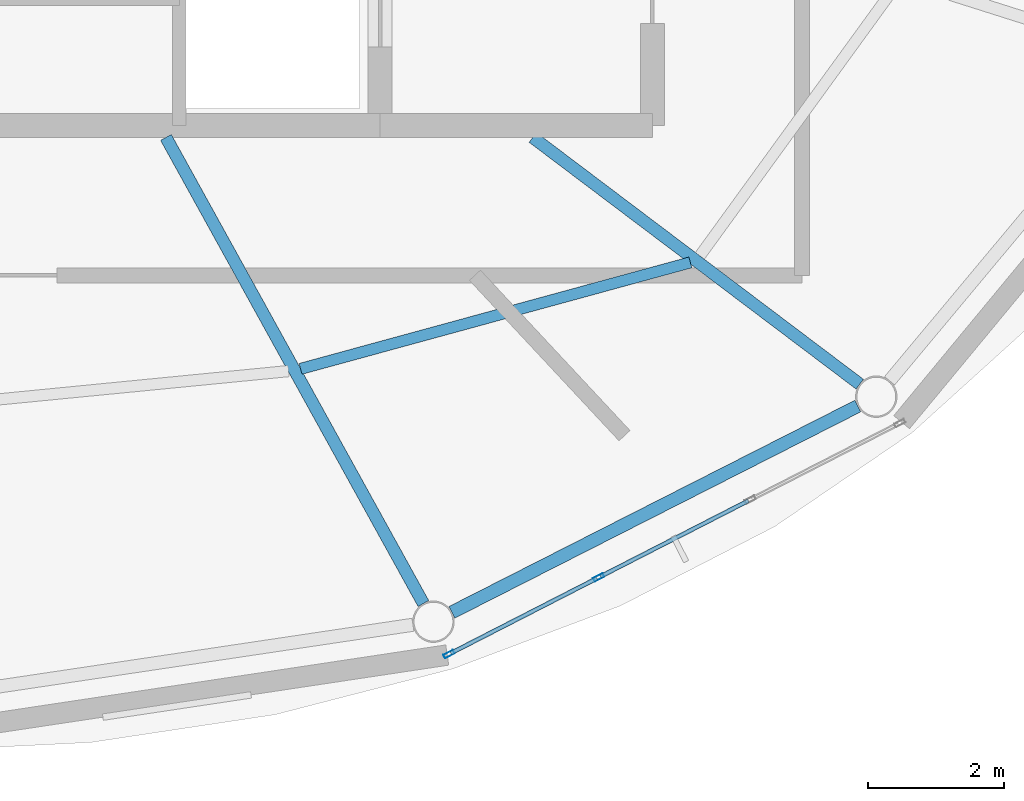
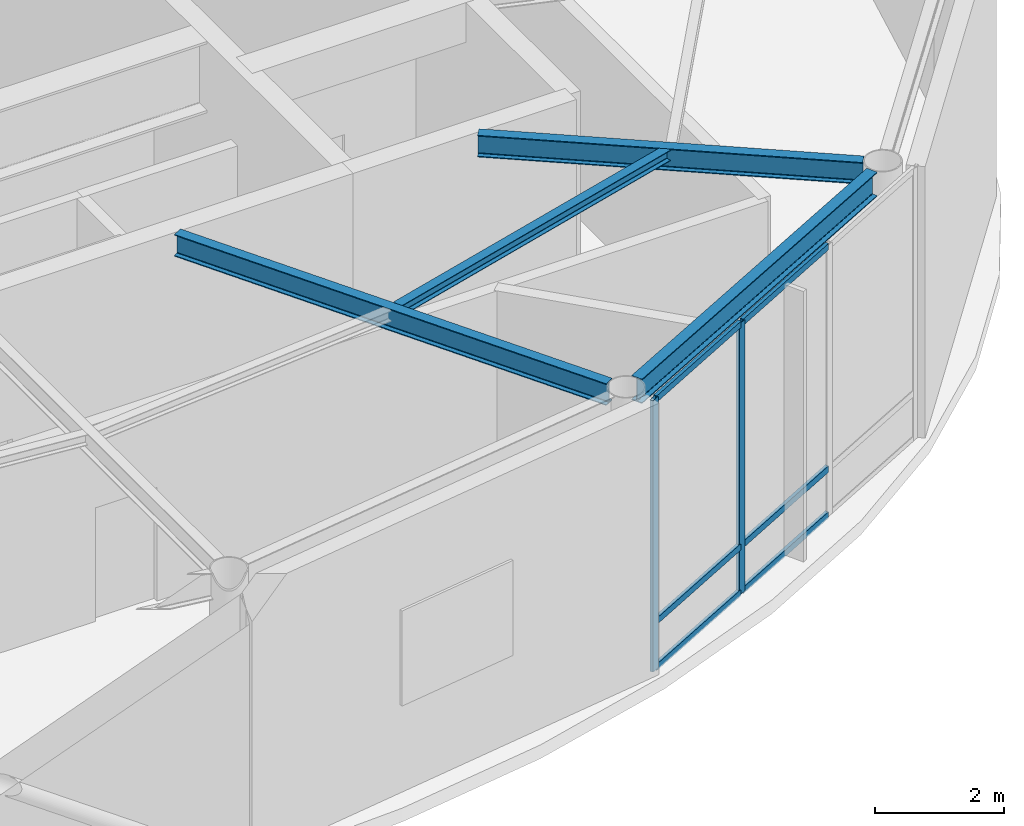
# One storey, part 5 of 14: 8 members, 4 beams, 1 element without a shape of its own.
"""IFC4 building model written with IfcOpenShell, lengths in metres."""

import ifcopenshell
import ifcopenshell.guid

model = None  # the IFC model being written
_history = None  # IfcOwnerHistory: only IFC2X3 demands one
_inside = {}  # id of a spatial element -> (the spatial element, [elements in it])
_under = {}  # id of a project, library or spatial element -> (it, [spatial elements below it])
_declared = {}  # id of a project -> (the project, [libraries it declares])
_typed = {}  # id of a type object -> (the type object, [elements of that type])
_made_of = {}  # id of a material, layer set ... -> (it, [elements and type objects made of it])


def new_model(schema):
    """Start an empty IFC model of exactly this schema.

    Asked for "IFC4X3", IfcOpenShell would pick the latest addendum, in which some entities
    have other attributes; the version numbers below select the first issue.
    IFC2X3 requires an IfcOwnerHistory on every rooted entity: one is made here for all.
    """
    global model, _history
    if schema == "IFC4X3":
        model = ifcopenshell.file(schema_version=(4, 3, 0, 0))
    else:
        model = ifcopenshell.file(schema=schema)
    _inside.clear()
    _under.clear()
    _declared.clear()
    _typed.clear()
    _made_of.clear()
    _history = None
    if model.schema == "IFC2X3":
        org = make("IfcOrganization", Name="unknown")
        user = make(
            "IfcPersonAndOrganization",
            ThePerson=make("IfcPerson", FamilyName="unknown"),
            TheOrganization=org,
        )
        app = make(
            "IfcApplication",
            ApplicationDeveloper=org,
            Version="unknown",
            ApplicationFullName="unknown",
            ApplicationIdentifier="unknown",
        )
        _history = make(
            "IfcOwnerHistory",
            OwningUser=user,
            OwningApplication=app,
            ChangeAction="ADDED",
            CreationDate=0,
        )
    return model


def make(cls, **values):
    """One entity of the class cls with the attributes given. An attribute that is None is left unset."""
    return model.create_entity(
        cls, **{name: value for name, value in values.items() if value is not None}
    )


def rooted(cls, **values):
    """An entity with a GlobalId (a new one), such as an element, a storey or a relation."""
    return make(cls, GlobalId=ifcopenshell.guid.new(), OwnerHistory=_history, **values)


def si_unit(unit_type, name, prefix=None):
    """IfcSIUnit, for example si_unit("LENGTHUNIT", "METRE", prefix="MILLI")."""
    return make("IfcSIUnit", UnitType=unit_type, Prefix=prefix, Name=name)


def assignment(units):
    """IfcUnitAssignment: the units of a project."""
    return None if units is None else make("IfcUnitAssignment", Units=units)


def point(xyz):
    """IfcCartesianPoint."""
    return None if xyz is None else make("IfcCartesianPoint", Coordinates=xyz)


def direction(xyz):
    """IfcDirection."""
    return None if xyz is None else make("IfcDirection", DirectionRatios=xyz)


def frame(location, z_axis=None, x_axis=None):
    """IfcAxis2Placement3D, a coordinate frame: its origin and axes. An axis left out is left unset."""
    return make(
        "IfcAxis2Placement3D",
        Location=point(location),
        Axis=direction(z_axis),
        RefDirection=direction(x_axis),
    )


def frame_2d(location, x_axis=None):
    """IfcAxis2Placement2D, a coordinate frame in the plane: its origin and x axis."""
    return make(
        "IfcAxis2Placement2D", Location=point(location), RefDirection=direction(x_axis)
    )


def origin():
    """The frame at (0, 0, 0) with its axes left unset."""
    return frame((0.0, 0.0, 0.0))


def origin_2d():
    """The frame at (0, 0) in the plane with its x axis left unset."""
    return frame_2d((0.0, 0.0))


def place(relative_to, where):
    """IfcLocalPlacement: puts the frame where relative to a parent placement (None: the world)."""
    return make(
        "IfcLocalPlacement", PlacementRelTo=relative_to, RelativePlacement=where
    )


def context(
    kind, dimensions, precision=None, world=None, true_north=None, identifier=None
):
    """IfcGeometricRepresentationContext, for example the 3D "Model" context."""
    return make(
        "IfcGeometricRepresentationContext",
        ContextIdentifier=identifier,
        ContextType=kind,
        CoordinateSpaceDimension=dimensions,
        Precision=precision,
        WorldCoordinateSystem=world,
        TrueNorth=true_north,
    )


def subcontext(parent, identifier, kind, view, scale=None):
    """IfcGeometricRepresentationSubContext, for example "Body" below "Model"."""
    return make(
        "IfcGeometricRepresentationSubContext",
        ContextIdentifier=identifier,
        ContextType=kind,
        ParentContext=parent,
        TargetScale=scale,
        TargetView=view,
    )


def project(units=None, contexts=None):
    """IfcProject with its units and contexts."""
    return rooted(
        "IfcProject",
        Name="project",
        RepresentationContexts=contexts,
        UnitsInContext=assignment(units),
    )


def spatial(cls, under=None, at=None, **own):
    """A site, building, storey or space (cls), placed at a placement, below another one or the project."""
    s = rooted(cls, ObjectPlacement=at, **own)
    if under is not None:
        _under.setdefault(under.id(), (under, []))[1].append(s)
    return s


def profile(cls, at=None, kind="AREA", **sizes):
    """A parametric profile (cls). Its sizes go by their IFC names, for example OverallWidth=200.0."""
    return make(cls, ProfileType=kind, Position=at, **sizes)


def hollow_rectangle(**sizes):
    """IfcRectangleHollowProfileDef."""
    return profile("IfcRectangleHollowProfileDef", **sizes)


def i_section(**sizes):
    """IfcIShapeProfileDef."""
    return profile("IfcIShapeProfileDef", **sizes)


def extrude(swept, where, along, depth):
    """IfcExtrudedAreaSolid: the profile swept, set in the frame where, extruded along a direction by depth."""
    return make(
        "IfcExtrudedAreaSolid",
        SweptArea=swept,
        Position=where,
        ExtrudedDirection=direction(along),
        Depth=depth,
    )


def shape(context_of_items, identifier, shape_type, items):
    """IfcShapeRepresentation: the items that make up one representation, for example the "Body"."""
    return make(
        "IfcShapeRepresentation",
        ContextOfItems=context_of_items,
        RepresentationIdentifier=identifier,
        RepresentationType=shape_type,
        Items=items,
    )


def material(Name=None, Category=None):
    """IfcMaterial."""
    return make("IfcMaterial", Name=Name, Category=Category)


def layer(
    of_material, thickness, ventilated=None, Name=None, Category=None, Priority=None
):
    """IfcMaterialLayer: one layer of a wall or slab, of a material (None: an air gap)."""
    return make(
        "IfcMaterialLayer",
        Material=of_material,
        LayerThickness=thickness,
        IsVentilated=ventilated,
        Name=Name,
        Category=Category,
        Priority=Priority,
    )


def layer_set(layers, Name=None):
    """IfcMaterialLayerSet."""
    return make("IfcMaterialLayerSet", MaterialLayers=layers, LayerSetName=Name)


def material_profile(
    of_material, cross_section, Name=None, Category=None, Priority=None
):
    """IfcMaterialProfile: a cross section and its material."""
    return make(
        "IfcMaterialProfile",
        Name=Name,
        Material=of_material,
        Profile=cross_section,
        Priority=Priority,
        Category=Category,
    )


def profile_set(profiles, Name=None, composite=None):
    """IfcMaterialProfileSet."""
    return make(
        "IfcMaterialProfileSet",
        Name=Name,
        MaterialProfiles=profiles,
        CompositeProfile=composite,
    )


def made_of(thing, what):
    """Note that an element or type object is made of a material, layer set ...; save() writes the relation."""
    if what is not None:
        _made_of.setdefault(what.id(), (what, []))[1].append(thing)
    return thing


def type_object(cls, material=None, **own):
    """A type object (cls), such as IfcWallType, which elements share."""
    return made_of(rooted(cls, **own), material)


def element(
    cls,
    number,
    at=None,
    inside=None,
    cuts=None,
    type_object=None,
    material=None,
    context=None,
    identifier="Body",
    shape_type=None,
    held_by="IfcProductDefinitionShape",
    body=None,
    shapes=None,
    **own,
):
    """One element of the class cls, such as IfcWall. Its Tag is "e" and its number.

    at: its placement. inside: the storey or other place that contains it. cuts: it is an
    opening in that element (IfcRelVoidsElement). A single representation is given by context,
    identifier, shape_type and body (its items); several are given by shapes. held_by: the class
    of the entity that holds the representations. save() writes the other relations.
    """
    e = rooted(cls, Tag="e%d" % number, ObjectPlacement=at, **own)
    if body is not None:
        shapes = [shape(context, identifier, shape_type, body)]
    if shapes is not None:
        e.Representation = make(held_by, Representations=shapes)
    if inside is not None:
        _inside.setdefault(inside.id(), (inside, []))[1].append(e)
    if cuts is not None:
        rooted(
            "IfcRelVoidsElement", RelatingBuildingElement=cuts, RelatedOpeningElement=e
        )
    if type_object is not None:
        _typed.setdefault(type_object.id(), (type_object, []))[1].append(e)
    return made_of(e, material)


def aggregate(whole, parts):
    """IfcRelAggregates: a whole, such as a stair, and the parts it consists of."""
    return rooted("IfcRelAggregates", RelatingObject=whole, RelatedObjects=parts)


def save(model, path):
    """Write the relations noted so far, then the file.

    IfcRelAggregates (storeys below a building ...), IfcRelContainedInSpatialStructure (elements
    in a storey), IfcRelDefinesByType, IfcRelAssociatesMaterial and IfcRelDeclares: one each for
    every whole, place, type object, material and project.
    """
    for whole, parts in _under.values():
        aggregate(whole, parts)
    for where, things in _inside.values():
        rooted(
            "IfcRelContainedInSpatialStructure",
            RelatedElements=things,
            RelatingStructure=where,
        )
    for kind, things in _typed.values():
        rooted("IfcRelDefinesByType", RelatedObjects=things, RelatingType=kind)
    for what, things in _made_of.values():
        rooted("IfcRelAssociatesMaterial", RelatedObjects=things, RelatingMaterial=what)
    for by, libraries in _declared.values():
        rooted("IfcRelDeclares", RelatingContext=by, RelatedDefinitions=libraries)
    model.write(path)


model = new_model("IFC4")

# Units and contexts
model_context = context("Model", 3, precision=1e-05, world=origin(), true_north=direction((0.0, 1.0)))
body_context = subcontext(model_context, "Body", "Model", "MODEL_VIEW")
ifc_project = project(units=[si_unit("LENGTHUNIT", "METRE"), si_unit("AREAUNIT", "SQUARE_METRE"), si_unit("VOLUMEUNIT", "CUBIC_METRE"), si_unit("PLANEANGLEUNIT", "RADIAN"), si_unit("MASSUNIT", "GRAM", prefix="KILO")], contexts=[model_context])

# Site, building, storey
site_placement = place(None, origin())
site = spatial("IfcSite", under=ifc_project, at=site_placement, CompositionType="ELEMENT")
building_placement = place(site_placement, origin())
building = spatial("IfcBuilding", under=site, at=building_placement, Name="Sarneth Arch Tower", CompositionType="ELEMENT")
storey_placement = place(building_placement, frame((0.0, 0.0, 321.60009765625)))
storey = spatial("IfcBuildingStorey", under=building, at=storey_placement, Name="L83", CompositionType="ELEMENT", Elevation=321.60009765625)

# Beams
ifc_material_1 = material(Name="Steel S355", Category="steel")
ifc_material_profile_1 = material_profile(ifc_material_1, i_section(OverallWidth=0.1650390625, OverallDepth=0.200927734375, WebThickness=0.006103515625, FlangeThickness=0.01025390625, FilletRadius=0.010009765625, at=origin_2d()), Name="W200x35.9")
ifc_profile_set_1 = profile_set([ifc_material_profile_1], Name="Steel S355")
beam_type_1 = type_object("IfcBeamType", Name="BM-JOIST-200", PredefinedType="JOIST", material=ifc_profile_set_1)
beam_1_placement = place(storey_placement, frame((53.8310546875, 31.625, 5.039306640625), z_axis=(0.964665041137, 0.263479332034, 0.0), x_axis=(-0.263479332034, 0.964665041137, 0.0)))
element("IfcBeam", 1, at=beam_1_placement, inside=storey, type_object=beam_type_1, Name="L83 Secondary floor joist 14", PredefinedType="JOIST", context=body_context, shape_type="SweptSolid", body=[
    extrude(i_section(OverallWidth=0.1650390625, OverallDepth=0.200927734375, WebThickness=0.006103515625, FlangeThickness=0.01025390625, FilletRadius=0.010009765625, at=origin_2d()), origin(), (0.0, 0.0, 1.0), 5.935791015625),
])
ifc_material_2 = material(Name="Steel S355", Category="steel")
ifc_material_profile_2 = material_profile(ifc_material_2, i_section(OverallWidth=0.179931640625, OverallDepth=0.4130859375, WebThickness=0.009765625, FlangeThickness=0.01611328125, FilletRadius=0.01611328125, at=origin_2d()), Name="W410x75")
ifc_profile_set_2 = profile_set([ifc_material_profile_2], Name="Steel S355")
beam_type_2 = type_object("IfcBeamType", Name="BM-RAD-410B", PredefinedType="BEAM", material=ifc_profile_set_2)
beam_2_placement = place(storey_placement, frame((51.85302734375, 35.02490234375, 4.933349609375), z_axis=(0.483540137105, -0.875322189715, 0.0), x_axis=(0.875322189715, 0.483540137105, 0.0)))
element("IfcBeam", 2, at=beam_2_placement, inside=storey, type_object=beam_type_2, Name="L83 Radial floor girder 14", PredefinedType="BEAM", context=body_context, shape_type="SweptSolid", body=[
    extrude(i_section(OverallWidth=0.179931640625, OverallDepth=0.4130859375, WebThickness=0.009765625, FlangeThickness=0.01611328125, FilletRadius=0.01611328125, at=origin_2d()), origin(), (0.0, 0.0, 1.0), 7.822509765625),
])
beam_3_placement = place(storey_placement, frame((57.242431640625, 35.02490234375, 4.933349609375), z_axis=(0.798219333929, -0.602366910563, 0.0), x_axis=(0.602366910563, 0.798219333929, 0.0)))
element("IfcBeam", 3, at=beam_3_placement, inside=storey, type_object=beam_type_2, Name="L83 Radial floor girder 15", PredefinedType="BEAM", context=body_context, shape_type="SweptSolid", body=[
    extrude(i_section(OverallWidth=0.179931640625, OverallDepth=0.4130859375, WebThickness=0.009765625, FlangeThickness=0.01611328125, FilletRadius=0.01611328125, at=origin_2d()), origin(), (0.0, 0.0, 1.0), 6.01708984375),
])
ifc_material_3 = material(Name="Steel S355", Category="steel")
ifc_material_profile_3 = material_profile(ifc_material_3, i_section(OverallWidth=0.19189453125, OverallDepth=0.462890625, WebThickness=0.010498046875, FlangeThickness=0.017578125, FilletRadius=0.01806640625, at=origin_2d()), Name="W460x89")
ifc_profile_set_3 = profile_set([ifc_material_profile_3], Name="Steel S355")
beam_type_3 = type_object("IfcBeamType", Name="BM-RAD-460B", PredefinedType="BEAM", material=ifc_profile_set_3)
beam_4_placement = place(storey_placement, frame((56.054931640625, 28.049072265625, 4.908447265625), z_axis=(0.891524580884, 0.45297231889, 0.0), x_axis=(-0.45297231889, 0.891524580884, 0.0)))
element("IfcBeam", 4, at=beam_4_placement, inside=storey, type_object=beam_type_3, Name="L83 Perimeter spandrel beam 14", PredefinedType="BEAM", context=body_context, shape_type="SweptSolid", body=[
    extrude(i_section(OverallWidth=0.19189453125, OverallDepth=0.462890625, WebThickness=0.010498046875, FlangeThickness=0.017578125, FilletRadius=0.01806640625, at=origin_2d()), origin(), (0.0, 0.0, 1.0), 6.6875),
])

# Curtain wall, members
ifc_material_4 = material(Name="Anodised aluminium Type AA25 and solar-control low-e laminated IGU", Category="aluminium")
ifc_layer = layer(ifc_material_4, 0.18994140625)
ifc_layer_set = layer_set([ifc_layer], Name="Anodised aluminium Type AA25 and solar-control low-e laminated IGU")
curtain_wall_type = type_object("IfcCurtainWallType", Name="CW-CROWN-DRUM", PredefinedType="NOTDEFINED", material=ifc_layer_set)
curtain_wall_placement = place(storey_placement, origin())
curtain_wall = element("IfcCurtainWall", 5, at=curtain_wall_placement, inside=storey, type_object=curtain_wall_type, Name="L83 Unitised curtain wall facet 14", PredefinedType="NOTDEFINED")
ifc_material_5 = material(Name="Anodised Aluminium 6063-T6", Category="aluminium")
ifc_material_profile_4 = material_profile(ifc_material_5, hollow_rectangle(XDim=0.06005859375, YDim=0.159912109375, WallThickness=0.00390625, at=origin_2d()), Name="AL-MULL-160x60x4")
ifc_profile_set_4 = profile_set([ifc_material_profile_4], Name="Anodised Aluminium 6063-T6")
member_type_1 = type_object("IfcMemberType", Name="CW-MULLION", PredefinedType="MULLION", material=ifc_profile_set_4)
member_1_placement = place(storey_placement, frame((56.01220703125, 27.434814453125, 0.0), z_axis=(0.0, 0.0, 1.0), x_axis=(-0.456040359598, 0.8899590948, 0.0)))
member_1 = element("IfcMember", 6, at=member_1_placement, type_object=member_type_1, Name="CW-SYS-7 mullion 1", PredefinedType="MULLION", context=body_context, shape_type="SweptSolid", body=[
    extrude(hollow_rectangle(XDim=0.06005859375, YDim=0.159912109375, WallThickness=0.00390625, at=origin_2d()), origin(), (0.0, 0.0, 1.0), 5.139892578125),
])
member_2_placement = place(storey_placement, frame((58.210693359375, 28.5615234375, 0.0), z_axis=(0.0, 0.0, 1.0), x_axis=(-0.456040359598, 0.8899590948, 0.0)))
member_2 = element("IfcMember", 7, at=member_2_placement, type_object=member_type_1, Name="CW-SYS-7 mullion 2", PredefinedType="MULLION", context=body_context, shape_type="SweptSolid", body=[
    extrude(hollow_rectangle(XDim=0.06005859375, YDim=0.159912109375, WallThickness=0.00390625, at=origin_2d()), origin(), (0.0, 0.0, 1.0), 5.139892578125),
])
ifc_material_6 = material(Name="Anodised Aluminium 6063-T6", Category="aluminium")
ifc_material_profile_5 = material_profile(ifc_material_6, hollow_rectangle(XDim=0.06005859375, YDim=0.1201171875, WallThickness=0.00390625, at=origin_2d()), Name="AL-TRAN-120x60x4")
ifc_profile_set_5 = profile_set([ifc_material_profile_5], Name="Anodised Aluminium 6063-T6")
member_type_2 = type_object("IfcMemberType", Name="CW-TRANSOM", PredefinedType="USERDEFINED", material=ifc_profile_set_5)
member_3_placement = place(storey_placement, frame((56.0390625, 27.448486328125, 0.02978515625), z_axis=(0.889967167286, 0.456024605864, 0.0), x_axis=(-0.456024605864, 0.889967167286, 0.0)))
member_3 = element("IfcMember", 8, at=member_3_placement, type_object=member_type_2, Name="CW-SYS-7 transom 1.1", ObjectType="TRANSOM", PredefinedType="USERDEFINED", context=body_context, shape_type="SweptSolid", body=[
    extrude(hollow_rectangle(XDim=0.06005859375, YDim=0.1201171875, WallThickness=0.00390625, at=origin_2d()), origin(), (0.0, 0.0, 1.0), 2.41015625),
])
member_4_placement = place(storey_placement, frame((56.0390625, 27.448486328125, 0.89990234375), z_axis=(0.889967167286, 0.456024605864, 0.0), x_axis=(-0.456024605864, 0.889967167286, 0.0)))
member_4 = element("IfcMember", 9, at=member_4_placement, type_object=member_type_2, Name="CW-SYS-7 transom 1.2", ObjectType="TRANSOM", PredefinedType="USERDEFINED", context=body_context, shape_type="SweptSolid", body=[
    extrude(hollow_rectangle(XDim=0.06005859375, YDim=0.1201171875, WallThickness=0.00390625, at=origin_2d()), origin(), (0.0, 0.0, 1.0), 2.41015625),
])
member_5_placement = place(storey_placement, frame((56.0390625, 27.448486328125, 5.10986328125), z_axis=(0.889967167286, 0.456024605864, 0.0), x_axis=(-0.456024605864, 0.889967167286, 0.0)))
member_5 = element("IfcMember", 10, at=member_5_placement, type_object=member_type_2, Name="CW-SYS-7 transom 1.3", ObjectType="TRANSOM", PredefinedType="USERDEFINED", context=body_context, shape_type="SweptSolid", body=[
    extrude(hollow_rectangle(XDim=0.06005859375, YDim=0.1201171875, WallThickness=0.00390625, at=origin_2d()), origin(), (0.0, 0.0, 1.0), 2.41015625),
])
member_6_placement = place(storey_placement, frame((58.237548828125, 28.5751953125, 0.02978515625), z_axis=(0.889961168319, 0.45603631312, 0.0), x_axis=(-0.45603631312, 0.889961168319, 0.0)))
member_6 = element("IfcMember", 11, at=member_6_placement, type_object=member_type_2, Name="CW-SYS-7 transom 2.1", ObjectType="TRANSOM", PredefinedType="USERDEFINED", context=body_context, shape_type="SweptSolid", body=[
    extrude(hollow_rectangle(XDim=0.06005859375, YDim=0.1201171875, WallThickness=0.00390625, at=origin_2d()), origin(), (0.0, 0.0, 1.0), 2.440185546875),
])
member_7_placement = place(storey_placement, frame((58.237548828125, 28.5751953125, 0.89990234375), z_axis=(0.889961168319, 0.45603631312, 0.0), x_axis=(-0.45603631312, 0.889961168319, 0.0)))
member_7 = element("IfcMember", 12, at=member_7_placement, type_object=member_type_2, Name="CW-SYS-7 transom 2.2", ObjectType="TRANSOM", PredefinedType="USERDEFINED", context=body_context, shape_type="SweptSolid", body=[
    extrude(hollow_rectangle(XDim=0.06005859375, YDim=0.1201171875, WallThickness=0.00390625, at=origin_2d()), origin(), (0.0, 0.0, 1.0), 2.440185546875),
])
member_8_placement = place(storey_placement, frame((58.237548828125, 28.5751953125, 5.10986328125), z_axis=(0.889961168319, 0.45603631312, 0.0), x_axis=(-0.45603631312, 0.889961168319, 0.0)))
member_8 = element("IfcMember", 13, at=member_8_placement, type_object=member_type_2, Name="CW-SYS-7 transom 2.3", ObjectType="TRANSOM", PredefinedType="USERDEFINED", context=body_context, shape_type="SweptSolid", body=[
    extrude(hollow_rectangle(XDim=0.06005859375, YDim=0.1201171875, WallThickness=0.00390625, at=origin_2d()), origin(), (0.0, 0.0, 1.0), 2.440185546875),
])
aggregate(curtain_wall, [member_1, member_2, member_3, member_4, member_5, member_6, member_7, member_8])

save(model, "model.ifc")
